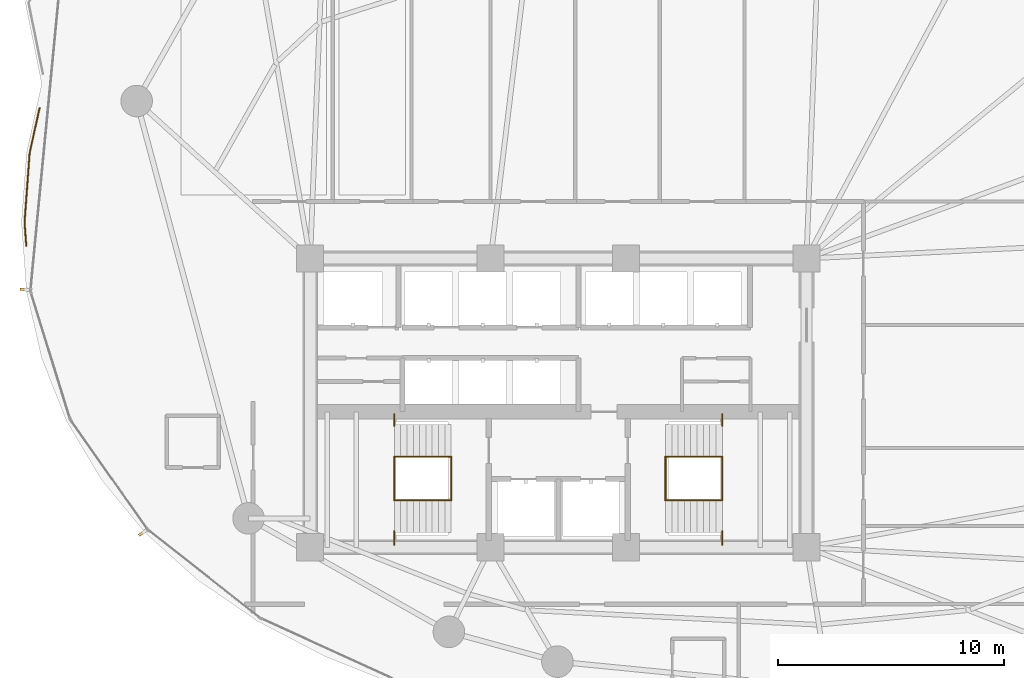
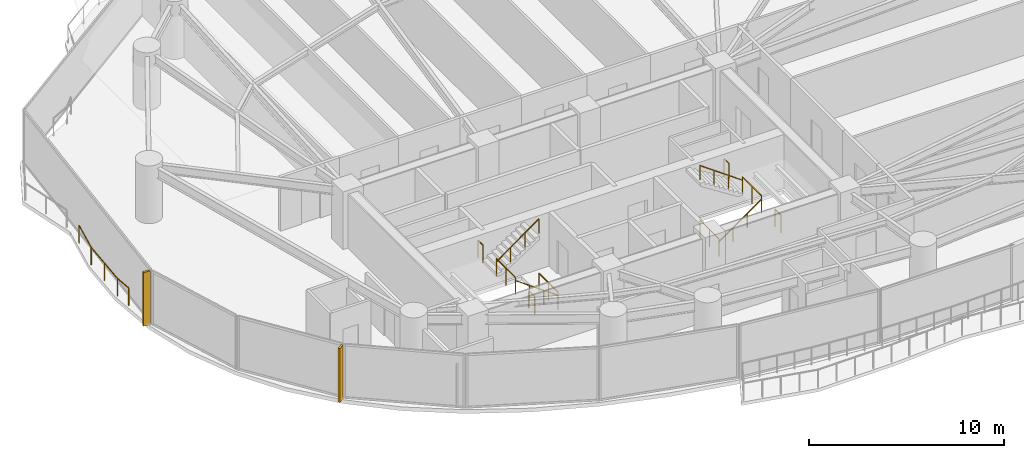
# One storey, part 29 of 31: 13 railings, 2 shading devices.
"""IFC4 building model written with IfcOpenShell, lengths in metres."""

from ifc_helpers import new_model, si_unit, direction, frame, origin, origin_2d, place, context, subcontext, project, spatial, rectangle, extrude, material, type_object, element, save


model = new_model("IFC4")

# Units and contexts
model_context = context("Model", 3, precision=1e-05, world=origin(), true_north=direction((0.0, 1.0)))
body_context = subcontext(model_context, "Body", "Model", "MODEL_VIEW")
ifc_project = project(units=[si_unit("LENGTHUNIT", "METRE"), si_unit("AREAUNIT", "SQUARE_METRE"), si_unit("VOLUMEUNIT", "CUBIC_METRE"), si_unit("PLANEANGLEUNIT", "RADIAN"), si_unit("MASSUNIT", "GRAM", prefix="KILO")], contexts=[model_context])

# Site, building, storey
site_placement = place(None, origin())
site = spatial("IfcSite", under=ifc_project, at=site_placement, CompositionType="ELEMENT")
building_placement = place(site_placement, origin())
building = spatial("IfcBuilding", under=site, at=building_placement, Name="Kazevale Care Tower and Concert Hall", CompositionType="ELEMENT")
storey_placement = place(building_placement, frame((0.0, 0.0, 63.60009765625)))
storey = spatial("IfcBuildingStorey", under=building, at=storey_placement, Name="L16", CompositionType="ELEMENT", Elevation=63.60009765625)

# Railings
ifc_material_1 = material(Name="Anodised Bronze Aluminium and Laminated Glass", Category="aluminium")
railing_type_1 = type_object("IfcRailingType", Name="Balcony and Terrace Balustrade 1120", PredefinedType="BALUSTRADE", material=ifc_material_1)
railing_1_placement = place(storey_placement, frame((9.416015625, 36.968017578125, 0.0)))
element("IfcRailing", 1, at=railing_1_placement, inside=storey, type_object=railing_type_1, Name="rail:L16:perim:1", PredefinedType="BALUSTRADE", context=body_context, shape_type="SweptSolid", body=[
    extrude(rectangle(XDim=0.048095703125, YDim=0.048095703125, at=origin_2d()), frame((0.0, 0.0, 1.09619140625), z_axis=(-0.073376305948, 0.997304325532, 0.0), x_axis=(-0.997304325532, -0.073376305948, 0.0)), (0.0, 0.0, 1.0), 1.03466796875),
    extrude(rectangle(XDim=0.048095703125, YDim=0.048095703125, at=origin_2d()), frame((-0.075927734375, 1.031982421875, 1.09619140625), z_axis=(0.072729345696, 0.997351714429, 0.0), x_axis=(-0.997351714429, 0.072729345696, 0.0)), (0.0, 0.0, 1.0), 3.078125),
    extrude(rectangle(XDim=0.048095703125, YDim=0.048095703125, at=origin_2d()), frame((0.14794921875, 4.10205078125, 1.09619140625), z_axis=(0.215389585979, 0.976528200439, 0.0), x_axis=(-0.976528200439, 0.215389585979, 0.0)), (0.0, 0.0, 1.0), 2.047119140625),
    extrude(rectangle(XDim=0.0419921875, YDim=0.0419921875, at=origin_2d()), origin(), (0.0, 0.0, 1.0), 1.072021484375),
    extrude(rectangle(XDim=0.0419921875, YDim=0.0419921875, at=origin_2d()), frame((-0.075927734375, 1.031982421875, 0.0)), (0.0, 0.0, 1.0), 1.072021484375),
    extrude(rectangle(XDim=0.0419921875, YDim=0.0419921875, at=origin_2d()), frame((0.0361328125, 2.56689453125, 0.0)), (0.0, 0.0, 1.0), 1.072021484375),
    extrude(rectangle(XDim=0.0419921875, YDim=0.0419921875, at=origin_2d()), frame((0.14794921875, 4.10205078125, 0.0)), (0.0, 0.0, 1.0), 1.072021484375),
    extrude(rectangle(XDim=0.0419921875, YDim=0.0419921875, at=origin_2d()), frame((0.5888671875, 6.10107421875, 0.0)), (0.0, 0.0, 1.0), 1.072021484375),
])
ifc_material_2 = material(Name="Stainless Steel 316", Category="steel")
railing_type_2 = type_object("IfcRailingType", Name="Stair Pitch Handrail 920", PredefinedType="HANDRAIL", material=ifc_material_2)
railing_2_placement = place(storey_placement, frame((28.25, 25.679931640625, 0.0)))
element("IfcRailing", 2, at=railing_2_placement, inside=storey, type_object=railing_type_2, Name="stair:L16:ST1:hr1", PredefinedType="HANDRAIL", context=body_context, shape_type="SweptSolid", body=[
    extrude(rectangle(XDim=0.048095703125, YDim=0.048095703125, at=origin_2d()), frame((0.0, 0.0, 0.89599609375), z_axis=(-0.813765431312, 0.0, 0.581193446971), x_axis=(0.0, -1.0, 0.0)), (0.0, 0.0, 1.0), 3.0966796875),
    extrude(rectangle(XDim=0.0419921875, YDim=0.0419921875, at=origin_2d()), origin(), (0.0, 0.0, 1.0), 0.871826171875),
    extrude(rectangle(XDim=0.0419921875, YDim=0.0419921875, at=origin_2d()), frame((-0.840087890625, 0.0, 0.599853515625)), (0.0, 0.0, 1.0), 0.871826171875),
    extrude(rectangle(XDim=0.0419921875, YDim=0.0419921875, at=origin_2d()), frame((-1.679931640625, 0.0, 1.199951171875)), (0.0, 0.0, 1.0), 0.871826171875),
    extrude(rectangle(XDim=0.0419921875, YDim=0.0419921875, at=origin_2d()), frame((-2.52001953125, 0.0, 1.7998046875)), (0.0, 0.0, 1.0), 0.871826171875),
])
railing_3_placement = place(storey_placement, frame((25.72998046875, 27.6201171875, 1.7998046875)))
element("IfcRailing", 3, at=railing_3_placement, inside=storey, type_object=railing_type_2, Name="stair:L16:ST1:hr2", PredefinedType="HANDRAIL", context=body_context, shape_type="SweptSolid", body=[
    extrude(rectangle(XDim=0.048095703125, YDim=0.048095703125, at=origin_2d()), frame((0.0, 0.0, 0.89599609375), z_axis=(0.813728144527, 0.0, 0.581245650998), x_axis=(0.0, 1.0, 0.0)), (0.0, 0.0, 1.0), 3.096923828125),
    extrude(rectangle(XDim=0.0419921875, YDim=0.0419921875, at=origin_2d()), origin(), (0.0, 0.0, 1.0), 0.871826171875),
    extrude(rectangle(XDim=0.0419921875, YDim=0.0419921875, at=origin_2d()), frame((0.840087890625, 0.0, 0.60009765625)), (0.0, 0.0, 1.0), 0.871826171875),
    extrude(rectangle(XDim=0.0419921875, YDim=0.0419921875, at=origin_2d()), frame((1.679931640625, 0.0, 1.199951171875)), (0.0, 0.0, 1.0), 0.871826171875),
    extrude(rectangle(XDim=0.0419921875, YDim=0.0419921875, at=origin_2d()), frame((2.52001953125, 0.0, 1.800048828125)), (0.0, 0.0, 1.0), 0.871826171875),
])
railing_4_placement = place(storey_placement, frame((37.75, 25.679931640625, 0.0)))
element("IfcRailing", 4, at=railing_4_placement, inside=storey, type_object=railing_type_2, Name="stair:L16:ST2:hr1", PredefinedType="HANDRAIL", context=body_context, shape_type="SweptSolid", body=[
    extrude(rectangle(XDim=0.048095703125, YDim=0.048095703125, at=origin_2d()), frame((0.0, 0.0, 0.89599609375), z_axis=(0.813765431312, 0.0, 0.581193446971), x_axis=(0.0, 1.0, 0.0)), (0.0, 0.0, 1.0), 3.0966796875),
    extrude(rectangle(XDim=0.0419921875, YDim=0.0419921875, at=origin_2d()), origin(), (0.0, 0.0, 1.0), 0.871826171875),
    extrude(rectangle(XDim=0.0419921875, YDim=0.0419921875, at=origin_2d()), frame((0.840087890625, 0.0, 0.599853515625)), (0.0, 0.0, 1.0), 0.871826171875),
    extrude(rectangle(XDim=0.0419921875, YDim=0.0419921875, at=origin_2d()), frame((1.679931640625, 0.0, 1.199951171875)), (0.0, 0.0, 1.0), 0.871826171875),
    extrude(rectangle(XDim=0.0419921875, YDim=0.0419921875, at=origin_2d()), frame((2.52001953125, 0.0, 1.7998046875)), (0.0, 0.0, 1.0), 0.871826171875),
])
railing_5_placement = place(storey_placement, frame((40.27001953125, 27.6201171875, 1.7998046875)))
element("IfcRailing", 5, at=railing_5_placement, inside=storey, type_object=railing_type_2, Name="stair:L16:ST2:hr2", PredefinedType="HANDRAIL", context=body_context, shape_type="SweptSolid", body=[
    extrude(rectangle(XDim=0.048095703125, YDim=0.048095703125, at=origin_2d()), frame((0.0, 0.0, 0.89599609375), z_axis=(-0.813728144527, 0.0, 0.581245650998), x_axis=(0.0, -1.0, 0.0)), (0.0, 0.0, 1.0), 3.096923828125),
    extrude(rectangle(XDim=0.0419921875, YDim=0.0419921875, at=origin_2d()), origin(), (0.0, 0.0, 1.0), 0.871826171875),
    extrude(rectangle(XDim=0.0419921875, YDim=0.0419921875, at=origin_2d()), frame((-0.840087890625, 0.0, 0.60009765625)), (0.0, 0.0, 1.0), 0.871826171875),
    extrude(rectangle(XDim=0.0419921875, YDim=0.0419921875, at=origin_2d()), frame((-1.679931640625, 0.0, 1.199951171875)), (0.0, 0.0, 1.0), 0.871826171875),
    extrude(rectangle(XDim=0.0419921875, YDim=0.0419921875, at=origin_2d()), frame((-2.52001953125, 0.0, 1.800048828125)), (0.0, 0.0, 1.0), 0.871826171875),
])
railing_type_3 = type_object("IfcRailingType", Name="Stair Well Guard Balustrade 1120", PredefinedType="BALUSTRADE", material=ifc_material_2)
railing_6_placement = place(storey_placement, frame((25.72998046875, 23.699951171875, 1.7998046875)))
element("IfcRailing", 6, at=railing_6_placement, inside=storey, type_object=railing_type_3, Name="stair:L16:ST1:grd_side1", PredefinedType="BALUSTRADE", context=body_context, shape_type="SweptSolid", body=[
    extrude(rectangle(XDim=0.048095703125, YDim=0.048095703125, at=origin_2d()), frame((0.0, 0.0, 1.09619140625), z_axis=(0.0, 1.0, 0.0), x_axis=(-1.0, 0.0, 0.0)), (0.0, 0.0, 1.0), 0.610107421875),
    extrude(rectangle(XDim=0.0419921875, YDim=0.0419921875, at=origin_2d()), origin(), (0.0, 0.0, 1.0), 1.072021484375),
    extrude(rectangle(XDim=0.0419921875, YDim=0.0419921875, at=origin_2d()), frame((0.0, 0.610107421875, 0.0)), (0.0, 0.0, 1.0), 1.072021484375),
])
railing_7_placement = place(storey_placement, frame((25.72998046875, 28.989990234375, 1.7998046875)))
element("IfcRailing", 7, at=railing_7_placement, inside=storey, type_object=railing_type_3, Name="stair:L16:ST1:grd_side2", PredefinedType="BALUSTRADE", context=body_context, shape_type="SweptSolid", body=[
    extrude(rectangle(XDim=0.048095703125, YDim=0.048095703125, at=origin_2d()), frame((0.0, 0.0, 1.09619140625), z_axis=(0.0, 1.0, 0.0), x_axis=(-1.0, 0.0, 0.0)), (0.0, 0.0, 1.0), 0.510009765625),
    extrude(rectangle(XDim=0.0419921875, YDim=0.0419921875, at=origin_2d()), origin(), (0.0, 0.0, 1.0), 1.072021484375),
    extrude(rectangle(XDim=0.0419921875, YDim=0.0419921875, at=origin_2d()), frame((0.0, 0.510009765625, 0.0)), (0.0, 0.0, 1.0), 1.072021484375),
])
for number, where, name in (
    (8, (25.72998046875, 25.679931640625, 1.7998046875), "stair:L16:ST1:grd_mid"),
    (9, (28.25, 25.679931640625, 0.0), "stair:L16:ST1:grd_flr"),
):
    element("IfcRailing", number, at=place(storey_placement, frame(where)), inside=storey, type_object=railing_type_3, Name=name, PredefinedType="BALUSTRADE", context=body_context, shape_type="SweptSolid", body=[
        extrude(rectangle(XDim=0.048095703125, YDim=0.048095703125, at=origin_2d()), frame((0.0, 0.0, 1.09619140625), z_axis=(0.0, 1.0, 0.0), x_axis=(-1.0, 0.0, 0.0)), (0.0, 0.0, 1.0), 1.940185546875),
        extrude(rectangle(XDim=0.0419921875, YDim=0.0419921875, at=origin_2d()), origin(), (0.0, 0.0, 1.0), 1.072021484375),
        extrude(rectangle(XDim=0.0419921875, YDim=0.0419921875, at=origin_2d()), frame((0.0, 0.97021484375, 0.0)), (0.0, 0.0, 1.0), 1.072021484375),
        extrude(rectangle(XDim=0.0419921875, YDim=0.0419921875, at=origin_2d()), frame((0.0, 1.940185546875, 0.0)), (0.0, 0.0, 1.0), 1.072021484375),
    ])
railing_8_placement = place(storey_placement, frame((40.27001953125, 23.699951171875, 1.7998046875)))
element("IfcRailing", 10, at=railing_8_placement, inside=storey, type_object=railing_type_3, Name="stair:L16:ST2:grd_side1", PredefinedType="BALUSTRADE", context=body_context, shape_type="SweptSolid", body=[
    extrude(rectangle(XDim=0.048095703125, YDim=0.048095703125, at=origin_2d()), frame((0.0, 0.0, 1.09619140625), z_axis=(0.0, 1.0, 0.0), x_axis=(-1.0, 0.0, 0.0)), (0.0, 0.0, 1.0), 0.610107421875),
    extrude(rectangle(XDim=0.0419921875, YDim=0.0419921875, at=origin_2d()), origin(), (0.0, 0.0, 1.0), 1.072021484375),
    extrude(rectangle(XDim=0.0419921875, YDim=0.0419921875, at=origin_2d()), frame((0.0, 0.610107421875, 0.0)), (0.0, 0.0, 1.0), 1.072021484375),
])
railing_9_placement = place(storey_placement, frame((40.27001953125, 28.989990234375, 1.7998046875)))
element("IfcRailing", 11, at=railing_9_placement, inside=storey, type_object=railing_type_3, Name="stair:L16:ST2:grd_side2", PredefinedType="BALUSTRADE", context=body_context, shape_type="SweptSolid", body=[
    extrude(rectangle(XDim=0.048095703125, YDim=0.048095703125, at=origin_2d()), frame((0.0, 0.0, 1.09619140625), z_axis=(0.0, 1.0, 0.0), x_axis=(-1.0, 0.0, 0.0)), (0.0, 0.0, 1.0), 0.510009765625),
    extrude(rectangle(XDim=0.0419921875, YDim=0.0419921875, at=origin_2d()), origin(), (0.0, 0.0, 1.0), 1.072021484375),
    extrude(rectangle(XDim=0.0419921875, YDim=0.0419921875, at=origin_2d()), frame((0.0, 0.510009765625, 0.0)), (0.0, 0.0, 1.0), 1.072021484375),
])
for number, where, name in (
    (12, (40.27001953125, 25.679931640625, 1.7998046875), "stair:L16:ST2:grd_mid"),
    (13, (37.75, 25.679931640625, 0.0), "stair:L16:ST2:grd_flr"),
):
    element("IfcRailing", number, at=place(storey_placement, frame(where)), inside=storey, type_object=railing_type_3, Name=name, PredefinedType="BALUSTRADE", context=body_context, shape_type="SweptSolid", body=[
        extrude(rectangle(XDim=0.048095703125, YDim=0.048095703125, at=origin_2d()), frame((0.0, 0.0, 1.09619140625), z_axis=(0.0, 1.0, 0.0), x_axis=(-1.0, 0.0, 0.0)), (0.0, 0.0, 1.0), 1.940185546875),
        extrude(rectangle(XDim=0.0419921875, YDim=0.0419921875, at=origin_2d()), origin(), (0.0, 0.0, 1.0), 1.072021484375),
        extrude(rectangle(XDim=0.0419921875, YDim=0.0419921875, at=origin_2d()), frame((0.0, 0.97021484375, 0.0)), (0.0, 0.0, 1.0), 1.072021484375),
        extrude(rectangle(XDim=0.0419921875, YDim=0.0419921875, at=origin_2d()), frame((0.0, 1.940185546875, 0.0)), (0.0, 0.0, 1.0), 1.072021484375),
    ])

# Shading devices
ifc_material_3 = material(Name="Honed Ochre Limestone", Category="masonry")
shading_device_type = type_object("IfcShadingDeviceType", Name="Vertical Honed Limestone Fin FIN-01", PredefinedType="USERDEFINED", material=ifc_material_3)
for number, where, z_axis, x_axis, name in (
    (14, (14.5693359375, 24.23779296875, 0.0), (0.0, 0.0, 1.0), (-0.817547124842, -0.575861700985, 0.0), "cw:L16:f11:fin"),
    (15, (9.3330078125, 35.0244140625, 0.0), (0.0, 0.0, 1.0), (-0.995379454967, 0.09601948047, 0.0), "cw:L16:f13:fin"),
):
    element("IfcShadingDevice", number, at=place(storey_placement, frame(where, z_axis=z_axis, x_axis=x_axis)), inside=storey, type_object=shading_device_type, Name=name, ObjectType="FIN", PredefinedType="USERDEFINED", context=body_context, shape_type="SweptSolid", body=[
        extrude(rectangle(XDim=0.3798828125, YDim=0.1201171875, at=origin_2d()), origin(), (0.0, 0.0, 1.0), 3.360107421875),
    ])

save(model, "model.ifc")
